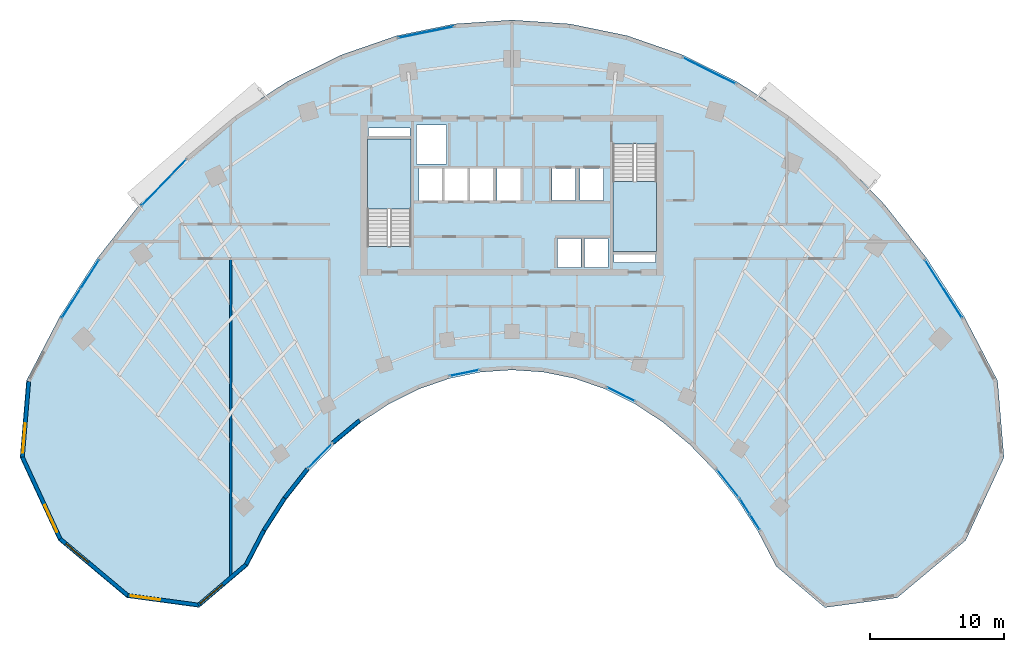
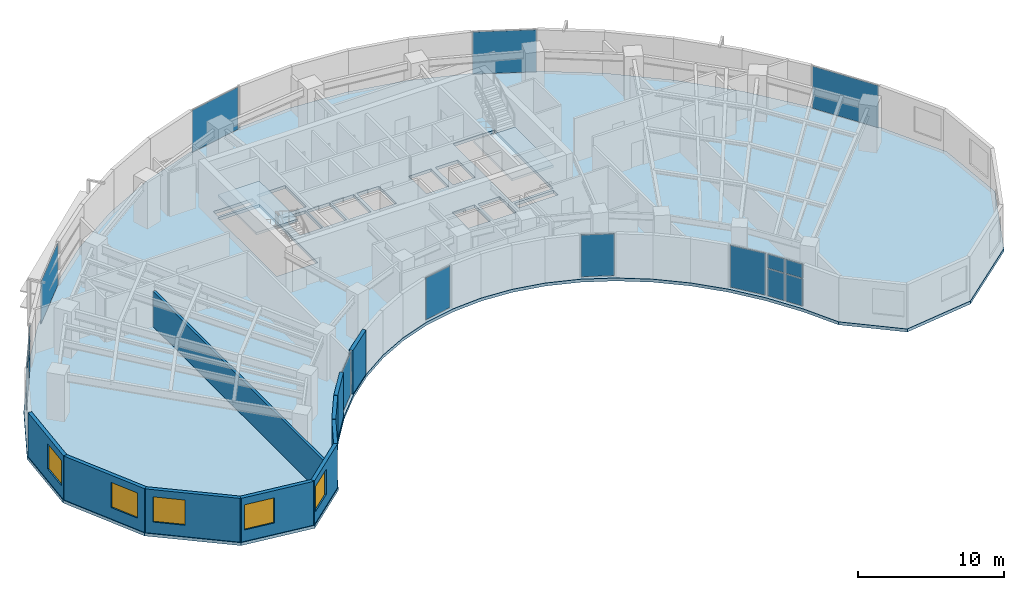
# One storey, part 7 of 14: 16 plates, 10 walls, 5 windows, 3 slabs, 5 openings, 12 elements without a shape of their own.
"""IFC4 building model written with IfcOpenShell, lengths in metres."""

from ifc_helpers import new_model, si_unit, direction, frame, frame_2d, origin, origin_2d, place, context, subcontext, project, spatial, polyline, rectangle, outline, extrude, source, transform, mapped, material, layer, layer_set, type_object, type_shapes, element, fill, aggregate, save


model = new_model("IFC4")

# Units and contexts
model_context = context("Model", 3, precision=1e-05, world=origin(), true_north=direction((0.0, 1.0)))
body_context = subcontext(model_context, "Body", "Model", "MODEL_VIEW")
ifc_project = project(units=[si_unit("LENGTHUNIT", "METRE"), si_unit("AREAUNIT", "SQUARE_METRE"), si_unit("VOLUMEUNIT", "CUBIC_METRE"), si_unit("PLANEANGLEUNIT", "RADIAN"), si_unit("MASSUNIT", "GRAM", prefix="KILO")], contexts=[model_context])

# Site, building, storey
site_placement = place(None, origin())
site = spatial("IfcSite", under=ifc_project, at=site_placement, CompositionType="ELEMENT")
building_placement = place(site_placement, origin())
building = spatial("IfcBuilding", under=site, at=building_placement, Name="Breltana Convention Tower", CompositionType="ELEMENT")
storey_placement = place(building_placement, frame((0.0, 0.0, 115.5)))
storey = spatial("IfcBuildingStorey", under=building, at=storey_placement, Name="L27", CompositionType="ELEMENT", Elevation=115.5)

# Slab
ifc_material_1 = material(Name="Concrete C40/50", Category="concrete")
ifc_layer_1 = layer(ifc_material_1, 0.25, Name="Concrete C40/50")
ifc_layer_set_1 = layer_set([ifc_layer_1], Name="Concrete C40/50")
slab_type_1 = type_object("IfcSlabType", Name="SL-OFF-250", PredefinedType="FLOOR", material=ifc_layer_set_1)
slab_1_placement = place(storey_placement, frame((0.0, 0.0, -0.25)))
element("IfcSlab", 1, at=slab_1_placement, inside=storey, type_object=slab_type_1, Name="L27 Suspended Structural Floor Slab", PredefinedType="FLOOR", context=body_context, shape_type="SweptSolid", body=[
    extrude(outline(polyline([(84.254150390625, 52.3564453125), (81.779052734375, 57.1103515625), (78.958251953125, 61.5048828125), (75.820556640625, 65.494873046875), (72.39794921875, 69.03955078125), (68.7255859375, 72.1025390625), (64.841064453125, 74.652587890625), (60.783935546875, 76.663818359375), (56.59619140625, 78.114990234375), (52.3203125, 78.99169921875), (48.0, 79.284912109375), (43.6796875, 78.99169921875), (39.40380859375, 78.114990234375), (35.216064453125, 76.663818359375), (31.158935546875, 74.652587890625), (27.2744140625, 72.1025390625), (23.60205078125, 69.03955078125), (20.179443359375, 65.494873046875), (17.041748046875, 61.5048828125), (14.220947265625, 57.1103515625), (11.745849609375, 52.3564453125), (11.266357421875, 46.619384765625), (14.128173828125, 40.42919921875), (19.23828125, 36.150146484375), (24.64501953125, 35.4169921875), (28.282958984375, 38.509521484375), (29.62890625, 41.09521484375), (31.1630859375, 43.485107421875), (32.869384765625, 45.655029296875), (34.73095703125, 47.5830078125), (36.728271484375, 49.248779296875), (38.8408203125, 50.6357421875), (41.04736328125, 51.7294921875), (43.324951171875, 52.518798828125), (45.650390625, 52.99560546875), (48.0, 53.155029296875), (50.349609375, 52.99560546875), (52.675048828125, 52.518798828125), (54.95263671875, 51.7294921875), (57.1591796875, 50.6357421875), (59.271728515625, 49.248779296875), (61.26904296875, 47.5830078125), (63.130615234375, 45.655029296875), (64.8369140625, 43.485107421875), (66.37109375, 41.09521484375), (67.717041015625, 38.509521484375), (71.35498046875, 35.4169921875), (76.76171875, 36.150146484375), (81.871826171875, 40.42919921875), (84.733642578125, 46.619384765625), (84.254150390625, 52.3564453125)]), holes=[polyline([(37.199951171875, 62.385009765625), (40.469970703125, 62.385009765625), (40.469970703125, 70.39990234375), (37.199951171875, 70.39990234375), (37.199951171875, 62.385009765625)]), polyline([(55.530029296875, 62.0), (58.800048828125, 62.0), (58.800048828125, 70.014892578125), (55.530029296875, 70.014892578125), (55.530029296875, 62.0)]), polyline([(51.39990234375, 60.800048828125), (53.159912109375, 60.800048828125), (53.159912109375, 62.97998046875), (51.39990234375, 62.97998046875), (51.39990234375, 60.800048828125)]), polyline([(53.39990234375, 60.800048828125), (55.159912109375, 60.800048828125), (55.159912109375, 62.97998046875), (53.39990234375, 62.97998046875), (53.39990234375, 60.800048828125)]), polyline([(41.0400390625, 65.820068359375), (42.800048828125, 65.820068359375), (42.800048828125, 68.179931640625), (41.0400390625, 68.179931640625), (41.0400390625, 65.820068359375)]), polyline([(42.93994140625, 65.820068359375), (44.699951171875, 65.820068359375), (44.699951171875, 68.179931640625), (42.93994140625, 68.179931640625), (42.93994140625, 65.820068359375)]), polyline([(44.8701171875, 65.820068359375), (46.6298828125, 65.820068359375), (46.6298828125, 68.179931640625), (44.8701171875, 68.179931640625), (44.8701171875, 65.820068359375)]), polyline([(46.8701171875, 65.820068359375), (48.6298828125, 65.820068359375), (48.6298828125, 68.179931640625), (46.8701171875, 68.179931640625), (46.8701171875, 65.820068359375)]), polyline([(50.969970703125, 65.800048828125), (52.72998046875, 65.800048828125), (52.72998046875, 68.179931640625), (50.969970703125, 68.179931640625), (50.969970703125, 65.800048828125)]), polyline([(53.070068359375, 65.800048828125), (54.830078125, 65.800048828125), (54.830078125, 68.179931640625), (53.070068359375, 68.179931640625), (53.070068359375, 65.800048828125)]), polyline([(40.8798828125, 68.550048828125), (43.1201171875, 68.550048828125), (43.1201171875, 71.449951171875), (40.8798828125, 71.449951171875), (40.8798828125, 68.550048828125)]), polyline([(37.300048828125, 70.60009765625), (40.3798828125, 70.60009765625), (40.3798828125, 71.219970703125), (37.300048828125, 71.219970703125), (37.300048828125, 70.60009765625)]), polyline([(55.6201171875, 61.179931640625), (58.699951171875, 61.179931640625), (58.699951171875, 61.800048828125), (55.6201171875, 61.800048828125), (55.6201171875, 61.179931640625)])]), origin(), (0.0, 0.0, 1.0), 0.25),
])

# Stair, slab
stair_type = type_object("IfcStairType", Name="ST-DOG-1560-R177", PredefinedType="HALF_TURN_STAIR", material=ifc_material_1)
stair_1_placement = place(storey_placement, origin())
stair_1 = element("IfcStair", 2, at=stair_1_placement, inside=storey, type_object=stair_type, Name="L27 Protected Core Exit Stair ST-1", PredefinedType="HALF_TURN_STAIR")
ifc_layer_2 = layer(ifc_material_1, 0.199951171875, Name="Concrete C40/50")
ifc_layer_set_2 = layer_set([ifc_layer_2], Name="Concrete C40/50")
slab_type_2 = type_object("IfcSlabType", Name="SL-STAIR-LANDING-200", PredefinedType="LANDING", material=ifc_layer_set_2)
slab_2_placement = place(storey_placement, frame((0.0, 0.0, 1.75)))
slab_2 = element("IfcSlab", 3, at=slab_2_placement, type_object=slab_type_2, Name="ST-1 landing 1", PredefinedType="LANDING", context=body_context, shape_type="SweptSolid", body=[
    extrude(outline(polyline([(40.469970703125, 65.159912109375), (40.469970703125, 70.39990234375), (37.199951171875, 70.39990234375), (37.199951171875, 65.159912109375), (40.469970703125, 65.159912109375)])), origin(), (0.0, 0.0, 1.0), 0.199951171875),
])
aggregate(stair_1, [slab_2])

stair_2_placement = place(storey_placement, origin())
stair_2 = element("IfcStair", 4, at=stair_2_placement, inside=storey, type_object=stair_type, Name="L27 Protected Core Exit Stair ST-2", PredefinedType="HALF_TURN_STAIR")
slab_3_placement = place(storey_placement, frame((0.0, 0.0, 1.75)))
slab_3 = element("IfcSlab", 5, at=slab_3_placement, type_object=slab_type_2, Name="ST-2 landing 1", PredefinedType="LANDING", context=body_context, shape_type="SweptSolid", body=[
    extrude(outline(polyline([(55.530029296875, 67.239990234375), (55.530029296875, 62.0), (58.800048828125, 62.0), (58.800048828125, 67.239990234375), (55.530029296875, 67.239990234375)])), origin(), (0.0, 0.0, 1.0), 0.199951171875),
])
aggregate(stair_2, [slab_3])

# Curtain wall, plates
ifc_material_2 = material(Name="Aluminium Anodised Bronze Frame", Category="aluminium")
ifc_layer_3 = layer(ifc_material_2, 0.18994140625, Name="Aluminium Anodised Bronze Frame")
ifc_layer_set_3 = layer_set([ifc_layer_3], Name="Aluminium Anodised Bronze Frame")
curtain_wall_type_1 = type_object("IfcCurtainWallType", Name="CW-SYS-1", PredefinedType="NOTDEFINED", material=ifc_layer_set_3)
curtain_wall_1_placement = place(storey_placement, origin())
curtain_wall_1 = element("IfcCurtainWall", 6, at=curtain_wall_1_placement, inside=storey, type_object=curtain_wall_type_1, Name="L27 inner south-court glazing 1", PredefinedType="NOTDEFINED")
ifc_material_3 = material(Name="Glass Low-E Double Glazing", Category="glass")
ifc_layer_4 = layer(ifc_material_3, 0.028076171875, Name="Glass Low-E Double Glazing")
ifc_layer_set_4 = layer_set([ifc_layer_4], Name="Glass Low-E Double Glazing")
plate_type_1 = type_object("IfcPlateType", Name="CWP-IGU-28", PredefinedType="CURTAIN_PANEL", material=ifc_layer_set_4)
shared_shape_1 = source(origin(), body_context, "Body", "SweptSolid", [
    extrude(rectangle(XDim=1.300048828125, YDim=0.028076171875, at=origin_2d()), origin(), (0.0, 0.0, 1.0), 2.25244140625),
])
plate_1_placement = place(storey_placement, frame((66.128173828125, 41.806640625, 0.080078125), z_axis=(0.0, 0.0, 1.0), x_axis=(-0.5401773017, 0.841551235949, 0.0)))
plate_1 = element("IfcPlate", 7, at=plate_1_placement, type_object=plate_type_1, Name="CW-01 panel 1.1", PredefinedType="CURTAIN_PANEL", context=body_context, shape_type="MappedRepresentation", body=[
    mapped(shared_shape_1, transform((0.0, 0.0, 0.0), scale=1.0)),
])
plate_2_placement = place(storey_placement, frame((65.3828125, 42.968017578125, 0.080078125), z_axis=(0.0, 0.0, 1.0), x_axis=(-0.5401773017, 0.841551235949, 0.0)))
plate_2 = element("IfcPlate", 8, at=plate_2_placement, type_object=plate_type_1, Name="CW-01 panel 2.1", PredefinedType="CURTAIN_PANEL", context=body_context, shape_type="MappedRepresentation", body=[
    mapped(shared_shape_1, transform((0.0, 0.0, 0.0), scale=1.0)),
])
shared_shape_2 = source(origin(), body_context, "Body", "SweptSolid", [
    extrude(rectangle(XDim=1.300048828125, YDim=0.028076171875, at=origin_2d()), origin(), (0.0, 0.0, 1.0), 1.157470703125),
])
plate_3_placement = place(storey_placement, frame((66.128173828125, 41.806640625, 2.41259765625), z_axis=(0.0, 0.0, 1.0), x_axis=(-0.5401773017, 0.841551235949, 0.0)))
plate_3 = element("IfcPlate", 9, at=plate_3_placement, type_object=plate_type_1, Name="CW-01 panel 1.2", PredefinedType="CURTAIN_PANEL", context=body_context, shape_type="MappedRepresentation", body=[
    mapped(shared_shape_2, transform((0.0, 0.0, 0.0), scale=1.0)),
])
plate_4_placement = place(storey_placement, frame((65.3828125, 42.968017578125, 2.41259765625), z_axis=(0.0, 0.0, 1.0), x_axis=(-0.5401773017, 0.841551235949, 0.0)))
plate_4 = element("IfcPlate", 10, at=plate_4_placement, type_object=plate_type_1, Name="CW-01 panel 2.2", PredefinedType="CURTAIN_PANEL", context=body_context, shape_type="MappedRepresentation", body=[
    mapped(shared_shape_2, transform((0.0, 0.0, 0.0), scale=1.0)),
])
aggregate(curtain_wall_1, [plate_1, plate_3, plate_2, plate_4])

# Curtain wall, plate
curtain_wall_2_placement = place(storey_placement, origin())
curtain_wall_2 = element("IfcCurtainWall", 11, at=curtain_wall_2_placement, inside=storey, type_object=curtain_wall_type_1, Name="L27 inner south-court glazing 2", PredefinedType="NOTDEFINED")
shared_shape_3 = source(origin(), body_context, "Body", "SweptSolid", [
    extrude(rectangle(XDim=2.6005859375, YDim=0.028076171875, at=origin_2d()), origin(), (0.0, 0.0, 1.0), 3.489990234375),
])
plate_5_placement = place(storey_placement, frame((64.125244140625, 44.681396484375, 0.080078125), z_axis=(0.0, 0.0, 1.0), x_axis=(-0.61815745037, 0.786054302547, 0.0)))
plate_5 = element("IfcPlate", 12, at=plate_5_placement, type_object=plate_type_1, Name="CW-01 panel 1.1", PredefinedType="CURTAIN_PANEL", context=body_context, shape_type="MappedRepresentation", body=[
    mapped(shared_shape_3, transform((0.0, 0.0, 0.0), scale=1.0)),
])
aggregate(curtain_wall_2, [plate_5])

# Curtain wall, plates
ifc_layer_5 = layer(ifc_material_2, 0.22998046875, Name="Aluminium Anodised Bronze Frame")
ifc_layer_set_5 = layer_set([ifc_layer_5], Name="Aluminium Anodised Bronze Frame")
curtain_wall_type_2 = type_object("IfcCurtainWallType", Name="CW-SYS-5", PredefinedType="NOTDEFINED", material=ifc_layer_set_5)
curtain_wall_3_placement = place(storey_placement, origin())
curtain_wall_3 = element("IfcCurtainWall", 13, at=curtain_wall_3_placement, inside=storey, type_object=curtain_wall_type_2, Name="L27 outer double-skin inner glazing 1", PredefinedType="NOTDEFINED")
ifc_layer_6 = layer(ifc_material_3, 0.035888671875, Name="Glass Low-E Double Glazing")
ifc_layer_set_6 = layer_set([ifc_layer_6], Name="Glass Low-E Double Glazing")
plate_type_2 = type_object("IfcPlateType", Name="CWP-IGU-36", PredefinedType="CURTAIN_PANEL", material=ifc_layer_set_6)
shared_shape_4 = source(origin(), body_context, "Body", "SweptSolid", [
    extrude(rectangle(XDim=2.49755859375, YDim=0.035888671875, at=origin_2d()), origin(), (0.0, 0.0, 1.0), 2.267578125),
])
plate_6_placement = place(storey_placement, frame((15.089111328125, 58.1298828125, 0.070068359375), z_axis=(0.0, 0.0, 1.0), x_axis=(0.540176809834, 0.84155155167, 0.0)))
plate_6 = element("IfcPlate", 14, at=plate_6_placement, type_object=plate_type_2, Name="CW-05 panel 1.1", PredefinedType="CURTAIN_PANEL", context=body_context, shape_type="MappedRepresentation", body=[
    mapped(shared_shape_4, transform((0.0, 0.0, 0.0), scale=1.0)),
])
plate_7_placement = place(storey_placement, frame((16.47607421875, 60.29052734375, 0.070068359375), z_axis=(0.0, 0.0, 1.0), x_axis=(0.540176809834, 0.84155155167, 0.0)))
plate_7 = element("IfcPlate", 15, at=plate_7_placement, type_object=plate_type_2, Name="CW-05 panel 2.1", PredefinedType="CURTAIN_PANEL", context=body_context, shape_type="MappedRepresentation", body=[
    mapped(shared_shape_4, transform((0.0, 0.0, 0.0), scale=1.0)),
])
shared_shape_5 = source(origin(), body_context, "Body", "SweptSolid", [
    extrude(rectangle(XDim=2.49755859375, YDim=0.035888671875, at=origin_2d()), origin(), (0.0, 0.0, 1.0), 1.172607421875),
])
plate_8_placement = place(storey_placement, frame((15.089111328125, 58.1298828125, 2.4072265625), z_axis=(0.0, 0.0, 1.0), x_axis=(0.540176809834, 0.84155155167, 0.0)))
plate_8 = element("IfcPlate", 16, at=plate_8_placement, type_object=plate_type_2, Name="CW-05 panel 1.2", PredefinedType="CURTAIN_PANEL", context=body_context, shape_type="MappedRepresentation", body=[
    mapped(shared_shape_5, transform((0.0, 0.0, 0.0), scale=1.0)),
])
plate_9_placement = place(storey_placement, frame((16.47607421875, 60.29052734375, 2.4072265625), z_axis=(0.0, 0.0, 1.0), x_axis=(0.540176809834, 0.84155155167, 0.0)))
plate_9 = element("IfcPlate", 17, at=plate_9_placement, type_object=plate_type_2, Name="CW-05 panel 2.2", PredefinedType="CURTAIN_PANEL", context=body_context, shape_type="MappedRepresentation", body=[
    mapped(shared_shape_5, transform((0.0, 0.0, 0.0), scale=1.0)),
])
aggregate(curtain_wall_3, [plate_6, plate_8, plate_7, plate_9])

# Curtain wall, plate
curtain_wall_4_placement = place(storey_placement, origin())
curtain_wall_4 = element("IfcCurtainWall", 18, at=curtain_wall_4_placement, inside=storey, type_object=curtain_wall_type_2, Name="L27 outer double-skin inner glazing 4", PredefinedType="NOTDEFINED")
shared_shape_6 = source(origin(), body_context, "Body", "SweptSolid", [
    extrude(rectangle(XDim=4.36572265625, YDim=0.035888671875, at=origin_2d()), origin(), (0.0, 0.0, 1.0), 3.510009765625),
])
plate_10_placement = place(storey_placement, frame((62.73291015625, 75.496826171875, 0.06982421875), z_axis=(0.0, 0.0, 1.0), x_axis=(0.895966548937, -0.444121541007, 0.0)))
plate_10 = element("IfcPlate", 19, at=plate_10_placement, type_object=plate_type_2, Name="CW-05 panel 1.1", PredefinedType="CURTAIN_PANEL", context=body_context, shape_type="MappedRepresentation", body=[
    mapped(shared_shape_6, transform((0.0, 0.0, 0.0), scale=1.0)),
])
aggregate(curtain_wall_4, [plate_10])

curtain_wall_5_placement = place(storey_placement, origin())
curtain_wall_5 = element("IfcCurtainWall", 20, at=curtain_wall_5_placement, inside=storey, type_object=curtain_wall_type_2, Name="L27 outer double-skin inner glazing 3", PredefinedType="NOTDEFINED")
shared_shape_7 = source(origin(), body_context, "Body", "SweptSolid", [
    extrude(rectangle(XDim=4.200927734375, YDim=0.035888671875, at=origin_2d()), origin(), (0.0, 0.0, 1.0), 3.510009765625),
])
plate_11_placement = place(storey_placement, frame((41.577880859375, 78.376953125, 0.06982421875), z_axis=(0.0, 0.0, 1.0), x_axis=(0.979620254346, 0.200858550415, 0.0)))
plate_11 = element("IfcPlate", 21, at=plate_11_placement, type_object=plate_type_2, Name="CW-05 panel 1.1", PredefinedType="CURTAIN_PANEL", context=body_context, shape_type="MappedRepresentation", body=[
    mapped(shared_shape_7, transform((0.0, 0.0, 0.0), scale=1.0)),
])
aggregate(curtain_wall_5, [plate_11])

curtain_wall_6_placement = place(storey_placement, origin())
curtain_wall_6 = element("IfcCurtainWall", 22, at=curtain_wall_6_placement, inside=storey, type_object=curtain_wall_type_2, Name="L27 outer double-skin inner glazing 2", PredefinedType="NOTDEFINED")
shared_shape_8 = source(origin(), body_context, "Body", "SweptSolid", [
    extrude(rectangle(XDim=4.7685546875, YDim=0.035888671875, at=origin_2d()), origin(), (0.0, 0.0, 1.0), 3.510009765625),
])
plate_12_placement = place(storey_placement, frame((22.02001953125, 67.141845703125, 0.06982421875), z_axis=(0.0, 0.0, 1.0), x_axis=(0.694611601605, 0.719384961558, 0.0)))
plate_12 = element("IfcPlate", 23, at=plate_12_placement, type_object=plate_type_2, Name="CW-05 panel 1.1", PredefinedType="CURTAIN_PANEL", context=body_context, shape_type="MappedRepresentation", body=[
    mapped(shared_shape_8, transform((0.0, 0.0, 0.0), scale=1.0)),
])
aggregate(curtain_wall_6, [plate_12])

curtain_wall_7_placement = place(storey_placement, origin())
curtain_wall_7 = element("IfcCurtainWall", 24, at=curtain_wall_7_placement, inside=storey, type_object=curtain_wall_type_1, Name="L27 inner south-court glazing 3", PredefinedType="NOTDEFINED")
shared_shape_9 = source(origin(), body_context, "Body", "SweptSolid", [
    extrude(rectangle(XDim=2.302490234375, YDim=0.028076171875, at=origin_2d()), origin(), (0.0, 0.0, 1.0), 3.489990234375),
])
plate_13_placement = place(storey_placement, frame((56.1357421875, 51.34375, 0.080078125), z_axis=(0.0, 0.0, 1.0), x_axis=(-0.895964953495, 0.444124759622, 0.0)))
plate_13 = element("IfcPlate", 25, at=plate_13_placement, type_object=plate_type_1, Name="CW-01 panel 1.1", PredefinedType="CURTAIN_PANEL", context=body_context, shape_type="MappedRepresentation", body=[
    mapped(shared_shape_9, transform((0.0, 0.0, 0.0), scale=1.0)),
])
aggregate(curtain_wall_7, [plate_13])

curtain_wall_8_placement = place(storey_placement, origin())
curtain_wall_8 = element("IfcCurtainWall", 26, at=curtain_wall_8_placement, inside=storey, type_object=curtain_wall_type_1, Name="L27 inner south-court glazing 4", PredefinedType="NOTDEFINED")
shared_shape_10 = source(origin(), body_context, "Body", "SweptSolid", [
    extrude(rectangle(XDim=2.2138671875, YDim=0.028076171875, at=origin_2d()), origin(), (0.0, 0.0, 1.0), 3.489990234375),
])
plate_14_placement = place(storey_placement, frame((44.451416015625, 52.933349609375, 0.080078125), z_axis=(0.0, 0.0, 1.0), x_axis=(-0.979621406891, -0.200852929183, 0.0)))
plate_14 = element("IfcPlate", 27, at=plate_14_placement, type_object=plate_type_1, Name="CW-01 panel 1.1", PredefinedType="CURTAIN_PANEL", context=body_context, shape_type="MappedRepresentation", body=[
    mapped(shared_shape_10, transform((0.0, 0.0, 0.0), scale=1.0)),
])
aggregate(curtain_wall_8, [plate_14])

curtain_wall_9_placement = place(storey_placement, origin())
curtain_wall_9 = element("IfcCurtainWall", 28, at=curtain_wall_9_placement, inside=storey, type_object=curtain_wall_type_1, Name="L27 inner south-court glazing 5", PredefinedType="NOTDEFINED")
shared_shape_11 = source(origin(), body_context, "Body", "SweptSolid", [
    extrude(rectangle(XDim=2.519775390625, YDim=0.028076171875, at=origin_2d()), origin(), (0.0, 0.0, 1.0), 3.489990234375),
])
plate_15_placement = place(storey_placement, frame((33.670654296875, 46.743896484375, 0.080078125), z_axis=(0.0, 0.0, 1.0), x_axis=(-0.694609164589, -0.719387314642, 0.0)))
plate_15 = element("IfcPlate", 29, at=plate_15_placement, type_object=plate_type_1, Name="CW-01 panel 1.1", PredefinedType="CURTAIN_PANEL", context=body_context, shape_type="MappedRepresentation", body=[
    mapped(shared_shape_11, transform((0.0, 0.0, 0.0), scale=1.0)),
])
aggregate(curtain_wall_9, [plate_15])

curtain_wall_10_placement = place(storey_placement, origin())
curtain_wall_10 = element("IfcCurtainWall", 30, at=curtain_wall_10_placement, inside=storey, type_object=curtain_wall_type_2, Name="L27 outer double-skin inner glazing 5", PredefinedType="NOTDEFINED")
shared_shape_12 = source(origin(), body_context, "Body", "SweptSolid", [
    extrude(rectangle(XDim=5.065185546875, YDim=0.035888671875, at=origin_2d()), origin(), (0.0, 0.0, 1.0), 3.510009765625),
])
plate_16_placement = place(storey_placement, frame((80.21728515625, 59.210205078125, 0.06982421875), z_axis=(0.0, 0.0, 1.0), x_axis=(0.540176809834, -0.84155155167, 0.0)))
plate_16 = element("IfcPlate", 31, at=plate_16_placement, type_object=plate_type_2, Name="CW-05 panel 1.1", PredefinedType="CURTAIN_PANEL", context=body_context, shape_type="MappedRepresentation", body=[
    mapped(shared_shape_12, transform((0.0, 0.0, 0.0), scale=1.0)),
])
aggregate(curtain_wall_10, [plate_16])

# Wall, opening, window
ifc_material_4 = material(Name="Limestone Buff Insulated Wall", Category="masonry")
ifc_layer_7 = layer(ifc_material_4, 0.280029296875, Name="Limestone Buff Insulated Wall")
ifc_layer_set_7 = layer_set([ifc_layer_7], Name="Limestone Buff Insulated Wall")
wall_type_1 = type_object("IfcWallType", Name="WL-EXT-NOSE-280", PredefinedType="SOLIDWALL", material=ifc_layer_set_7)
shared_shape_13 = source(origin(), body_context, "Body", "SweptSolid", [
    extrude(rectangle(XDim=5.673583984375, YDim=0.280029296875, at=frame_2d((2.8369140625, 0.0))), origin(), (0.0, 0.0, 1.0), 3.64990234375),
])
wall_1_placement = place(storey_placement, frame((11.44970703125, 46.651611328125, 0.0), z_axis=(0.0, 0.0, 1.0), x_axis=(0.083309007867, 0.996523762491, 0.0)))
wall_1 = element("IfcWall", 32, at=wall_1_placement, inside=storey, type_object=wall_type_1, Name="L27 curved limestone nose wall W6", PredefinedType="SOLIDWALL", context=body_context, shape_type="MappedRepresentation", body=[
    mapped(shared_shape_13, transform((0.0, 0.0, 0.0), scale=1.0)),
])
opening_1_placement = place(wall_1_placement, frame((0.318359375, 0.0, 0.949951171875)))
opening_1 = element("IfcOpeningElement", 33, at=opening_1_placement, cuts=wall_1, Name="Opening W-03", PredefinedType="OPENING", context=body_context, shape_type="SweptSolid", body=[
    extrude(rectangle(XDim=2.199951171875, YDim=2.10009765625, at=frame_2d((1.10009765625, 1.050048828125))), frame((0.0, 0.14990234375, 0.0), z_axis=(0.0, -1.0, 0.0), x_axis=(1.0, 0.0, 0.0)), (0.0, 0.0, 1.0), 0.300048828125),
])
ifc_material_5 = material(Name="Glass Low-E Insulated Window", Category="glass")
window_type = type_object("IfcWindowType", Name="WN-NOSE-2200X2100", PartitioningType="TRIPLE_PANEL_VERTICAL", PredefinedType="WINDOW", material=ifc_material_5)
shared_shape_14 = source(origin(), body_context, "Body", "SweptSolid", [
    extrude(rectangle(XDim=2.199951171875, YDim=2.10009765625, at=frame_2d((1.10009765625, 1.050048828125))), frame((0.0, 0.030029296875, 0.0), z_axis=(0.0, -1.0, 0.0), x_axis=(1.0, 0.0, 0.0)), (0.0, 0.0, 1.0), 0.06005859375),
])
type_shapes(window_type, [shared_shape_14])
window_1_placement = place(opening_1_placement, origin())
window_1 = element("IfcWindow", 34, at=window_1_placement, inside=storey, type_object=window_type, Name="L27 nose window W6", OverallHeight=2.10009765625, OverallWidth=2.199951171875, PartitioningType="TRIPLE_PANEL_VERTICAL", PredefinedType="WINDOW", context=body_context, shape_type="MappedRepresentation", body=[
    mapped(shared_shape_14, transform((0.0, 0.0, 0.0), scale=1.0)),
])
fill(opening_1, window_1)

shared_shape_15 = source(origin(), body_context, "Body", "SweptSolid", [
    extrude(rectangle(XDim=6.731689453125, YDim=0.280029296875, at=frame_2d((3.36572265625, 0.0))), origin(), (0.0, 0.0, 1.0), 3.64990234375),
])
wall_2_placement = place(storey_placement, frame((14.274658203125, 40.541259765625, 0.0), z_axis=(0.0, 0.0, 1.0), x_axis=(-0.419644552709, 0.907688520023, 0.0)))
wall_2 = element("IfcWall", 35, at=wall_2_placement, inside=storey, type_object=wall_type_1, Name="L27 curved limestone nose wall W5", PredefinedType="SOLIDWALL", context=body_context, shape_type="MappedRepresentation", body=[
    mapped(shared_shape_15, transform((0.0, 0.0, 0.0), scale=1.0)),
])
opening_2_placement = place(wall_2_placement, frame((0.5830078125, 0.0, 0.949951171875)))
opening_2 = element("IfcOpeningElement", 36, at=opening_2_placement, cuts=wall_2, Name="Opening W-03", PredefinedType="OPENING", context=body_context, shape_type="SweptSolid", body=[
    extrude(rectangle(XDim=2.199951171875, YDim=2.10009765625, at=frame_2d((1.10009765625, 1.050048828125))), frame((0.0, 0.14990234375, 0.0), z_axis=(0.0, -1.0, 0.0), x_axis=(1.0, 0.0, 0.0)), (0.0, 0.0, 1.0), 0.300048828125),
])
window_2_placement = place(opening_2_placement, origin())
window_2 = element("IfcWindow", 37, at=window_2_placement, inside=storey, type_object=window_type, Name="L27 nose window W5", OverallHeight=2.10009765625, OverallWidth=2.199951171875, PartitioningType="TRIPLE_PANEL_VERTICAL", PredefinedType="WINDOW", context=body_context, shape_type="MappedRepresentation", body=[
    mapped(shared_shape_14, transform((0.0, 0.0, 0.0), scale=1.0)),
])
fill(opening_2, window_2)

shared_shape_16 = source(origin(), body_context, "Body", "SweptSolid", [
    extrude(rectangle(XDim=6.572998046875, YDim=0.280029296875, at=frame_2d((3.28662109375, 0.0))), origin(), (0.0, 0.0, 1.0), 3.64990234375),
])
wall_3_placement = place(storey_placement, frame((19.314208984375, 36.321533203125, 0.0), z_axis=(0.0, 0.0, 1.0), x_axis=(-0.766715154163, 0.641987439423, 0.0)))
wall_3 = element("IfcWall", 38, at=wall_3_placement, inside=storey, type_object=wall_type_1, Name="L27 curved limestone nose wall W4", PredefinedType="SOLIDWALL", context=body_context, shape_type="MappedRepresentation", body=[
    mapped(shared_shape_16, transform((0.0, 0.0, 0.0), scale=1.0)),
])
opening_3_placement = place(wall_3_placement, frame((3.82958984375, 0.0, 0.949951171875)))
opening_3 = element("IfcOpeningElement", 39, at=opening_3_placement, cuts=wall_3, Name="Opening W-03", PredefinedType="OPENING", context=body_context, shape_type="SweptSolid", body=[
    extrude(rectangle(XDim=2.199951171875, YDim=2.10009765625, at=frame_2d((1.10009765625, 1.050048828125))), frame((0.0, 0.14990234375, 0.0), z_axis=(0.0, -1.0, 0.0), x_axis=(1.0, 0.0, 0.0)), (0.0, 0.0, 1.0), 0.300048828125),
])
window_3_placement = place(opening_3_placement, origin())
window_3 = element("IfcWindow", 40, at=window_3_placement, inside=storey, type_object=window_type, Name="L27 nose window W4", OverallHeight=2.10009765625, OverallWidth=2.199951171875, PartitioningType="TRIPLE_PANEL_VERTICAL", PredefinedType="WINDOW", context=body_context, shape_type="MappedRepresentation", body=[
    mapped(shared_shape_14, transform((0.0, 0.0, 0.0), scale=1.0)),
])
fill(opening_3, window_3)

shared_shape_17 = source(origin(), body_context, "Body", "SweptSolid", [
    extrude(rectangle(XDim=5.32373046875, YDim=0.280029296875, at=frame_2d((2.661865234375, 0.0))), origin(), (0.0, 0.0, 1.0), 3.64990234375),
])
wall_4_placement = place(storey_placement, frame((24.589599609375, 35.606201171875, 0.0), z_axis=(0.0, 0.0, 1.0), x_axis=(-0.990931467223, 0.134368252451, 0.0)))
wall_4 = element("IfcWall", 41, at=wall_4_placement, inside=storey, type_object=wall_type_1, Name="L27 curved limestone nose wall W3", PredefinedType="SOLIDWALL", context=body_context, shape_type="MappedRepresentation", body=[
    mapped(shared_shape_17, transform((0.0, 0.0, 0.0), scale=1.0)),
])
opening_4_placement = place(wall_4_placement, frame((2.892822265625, 0.0, 0.949951171875)))
opening_4 = element("IfcOpeningElement", 42, at=opening_4_placement, cuts=wall_4, Name="Opening W-03", PredefinedType="OPENING", context=body_context, shape_type="SweptSolid", body=[
    extrude(rectangle(XDim=2.199951171875, YDim=2.10009765625, at=frame_2d((1.10009765625, 1.050048828125))), frame((0.0, 0.14990234375, 0.0), z_axis=(0.0, -1.0, 0.0), x_axis=(1.0, 0.0, 0.0)), (0.0, 0.0, 1.0), 0.300048828125),
])
window_4_placement = place(opening_4_placement, origin())
window_4 = element("IfcWindow", 43, at=window_4_placement, inside=storey, type_object=window_type, Name="L27 nose window W3", OverallHeight=2.10009765625, OverallWidth=2.199951171875, PartitioningType="TRIPLE_PANEL_VERTICAL", PredefinedType="WINDOW", context=body_context, shape_type="MappedRepresentation", body=[
    mapped(shared_shape_14, transform((0.0, 0.0, 0.0), scale=1.0)),
])
fill(opening_4, window_4)

shared_shape_18 = source(origin(), body_context, "Body", "SweptSolid", [
    extrude(rectangle(XDim=4.6591796875, YDim=0.280029296875, at=frame_2d((2.32958984375, 0.0))), origin(), (0.0, 0.0, 1.0), 3.64990234375),
])
wall_5_placement = place(storey_placement, frame((28.139404296875, 38.623779296875, 0.0), z_axis=(0.0, 0.0, 1.0), x_axis=(-0.761913458795, -0.647678841176, 0.0)))
wall_5 = element("IfcWall", 44, at=wall_5_placement, inside=storey, type_object=wall_type_1, Name="L27 curved limestone nose wall W2", PredefinedType="SOLIDWALL", context=body_context, shape_type="MappedRepresentation", body=[
    mapped(shared_shape_18, transform((0.0, 0.0, 0.0), scale=1.0)),
])
opening_5_placement = place(wall_5_placement, frame((2.29931640625, 0.0, 0.949951171875)))
opening_5 = element("IfcOpeningElement", 45, at=opening_5_placement, cuts=wall_5, Name="Opening W-03", PredefinedType="OPENING", context=body_context, shape_type="SweptSolid", body=[
    extrude(rectangle(XDim=2.199951171875, YDim=2.10009765625, at=frame_2d((1.10009765625, 1.050048828125))), frame((0.0, 0.14990234375, 0.0), z_axis=(0.0, -1.0, 0.0), x_axis=(1.0, 0.0, 0.0)), (0.0, 0.0, 1.0), 0.300048828125),
])
window_5_placement = place(opening_5_placement, origin())
window_5 = element("IfcWindow", 46, at=window_5_placement, inside=storey, type_object=window_type, Name="L27 nose window W2", OverallHeight=2.10009765625, OverallWidth=2.199951171875, PartitioningType="TRIPLE_PANEL_VERTICAL", PredefinedType="WINDOW", context=body_context, shape_type="MappedRepresentation", body=[
    mapped(shared_shape_14, transform((0.0, 0.0, 0.0), scale=1.0)),
])
fill(opening_5, window_5)

# Walls
shared_shape_19 = source(origin(), body_context, "Body", "SweptSolid", [
    extrude(rectangle(XDim=2.8798828125, YDim=0.280029296875, at=frame_2d((1.43994140625, 0.0))), origin(), (0.0, 0.0, 1.0), 3.64990234375),
])
wall_6_placement = place(storey_placement, frame((29.46923828125, 41.17822265625, 0.0), z_axis=(0.0, 0.0, 1.0), x_axis=(-0.461769086658, -0.887000175088, 0.0)))
element("IfcWall", 47, at=wall_6_placement, inside=storey, type_object=wall_type_1, Name="L27 curved limestone nose wall W1", PredefinedType="SOLIDWALL", context=body_context, shape_type="MappedRepresentation", body=[
    mapped(shared_shape_19, transform((0.0, 0.0, 0.0), scale=1.0)),
])
shared_shape_20 = source(origin(), body_context, "Body", "SweptSolid", [
    extrude(rectangle(XDim=2.600830078125, YDim=0.280029296875, at=frame_2d((1.30029296875, 0.0))), origin(), (0.0, 0.0, 1.0), 3.64990234375),
])
wall_7_placement = place(storey_placement, frame((36.61279296875, 49.386962890625, 0.0), z_axis=(0.0, 0.0, 1.0), x_axis=(-0.76796730295, -0.640489048775, 0.0)))
element("IfcWall", 48, at=wall_7_placement, inside=storey, type_object=wall_type_1, Name="L27 curved limestone nose wall E17", PredefinedType="SOLIDWALL", context=body_context, shape_type="MappedRepresentation", body=[
    mapped(shared_shape_20, transform((0.0, 0.0, 0.0), scale=1.0)),
])
shared_shape_21 = source(origin(), body_context, "Body", "SweptSolid", [
    extrude(rectangle(XDim=2.760498046875, YDim=0.280029296875, at=frame_2d((1.38037109375, 0.0))), origin(), (0.0, 0.0, 1.0), 3.64990234375),
])
wall_8_placement = place(storey_placement, frame((32.72802734375, 45.766357421875, 0.0), z_axis=(0.0, 0.0, 1.0), x_axis=(-0.618180818641, -0.786035925047, 0.0)))
element("IfcWall", 49, at=wall_8_placement, inside=storey, type_object=wall_type_1, Name="L27 curved limestone nose wall E18", PredefinedType="SOLIDWALL", context=body_context, shape_type="MappedRepresentation", body=[
    mapped(shared_shape_21, transform((0.0, 0.0, 0.0), scale=1.0)),
])
shared_shape_22 = source(origin(), body_context, "Body", "SweptSolid", [
    extrude(rectangle(XDim=2.83984375, YDim=0.280029296875, at=frame_2d((1.419921875, 0.0))), origin(), (0.0, 0.0, 1.0), 3.64990234375),
])
wall_9_placement = place(storey_placement, frame((31.011474609375, 43.582275390625, 0.0), z_axis=(0.0, 0.0, 1.0), x_axis=(-0.540214368057, -0.841527442538, 0.0)))
element("IfcWall", 50, at=wall_9_placement, inside=storey, type_object=wall_type_1, Name="L27 curved limestone nose wall E19", PredefinedType="SOLIDWALL", context=body_context, shape_type="MappedRepresentation", body=[
    mapped(shared_shape_22, transform((0.0, 0.0, 0.0), scale=1.0)),
])
ifc_material_6 = material(Name="Gypsum Acoustic Hotel Wall")
ifc_layer_8 = layer(ifc_material_6, 0.195068359375, Name="Gypsum Acoustic Hotel Wall")
ifc_layer_set_8 = layer_set([ifc_layer_8], Name="Gypsum Acoustic Hotel Wall")
wall_type_2 = type_object("IfcWallType", Name="WL-HOTEL-200", PredefinedType="PARTITIONING", material=ifc_layer_set_8)
shared_shape_23 = source(origin(), body_context, "Body", "SweptSolid", [
    extrude(rectangle(XDim=23.771484375, YDim=0.195068359375, at=frame_2d((11.8857421875, 0.0))), origin(), (0.0, 0.0, 1.0), 2.94189453125),
])
wall_10_placement = place(storey_placement, frame((27.0, 37.66845703125, 0.0), z_axis=(0.0, 0.0, 1.0), x_axis=(0.0, 1.0, 0.0)))
element("IfcWall", 51, at=wall_10_placement, inside=storey, type_object=wall_type_2, Name="L27 interior partition W-L27-ZWS1-E", PredefinedType="PARTITIONING", context=body_context, shape_type="MappedRepresentation", body=[
    mapped(shared_shape_23, transform((0.0, 0.0, 0.0), scale=1.0)),
])

save(model, "model.ifc")
